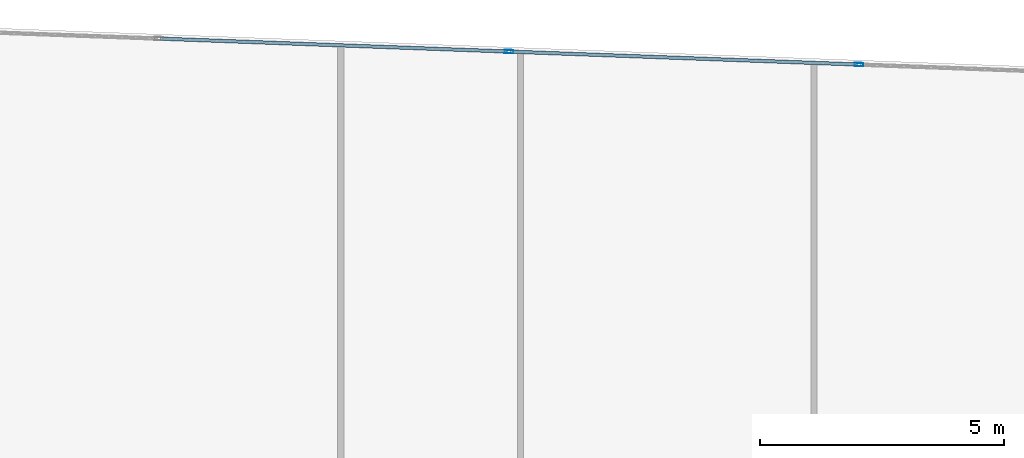
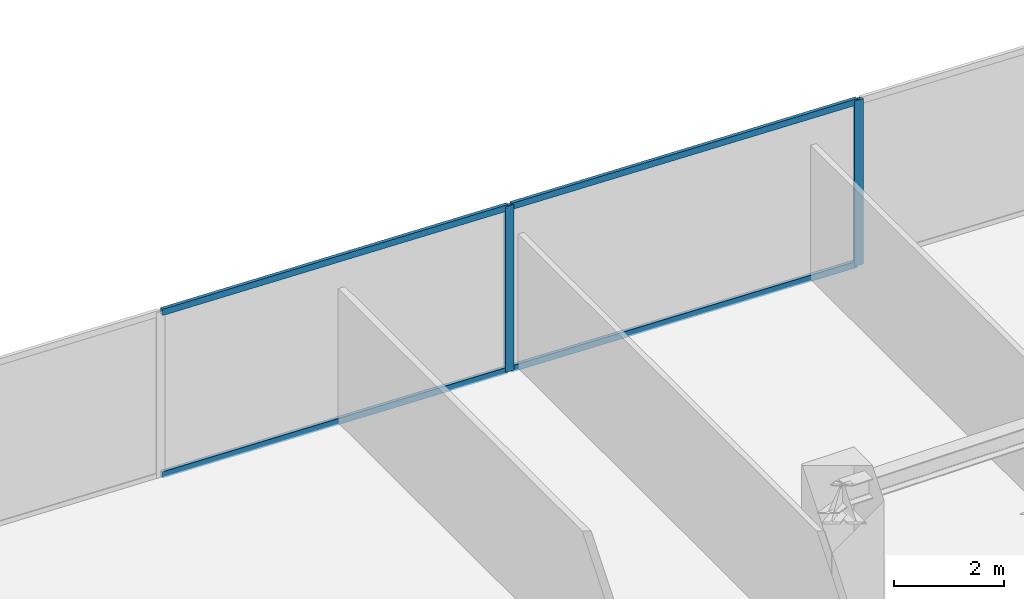
# One storey, part 22 of 30: 6 members, 1 element without a shape of its own.
"""IFC4 building model written with IfcOpenShell, lengths in metres."""

from ifc_helpers import new_model, si_unit, direction, frame, origin, origin_2d, place, context, subcontext, project, spatial, hollow_rectangle, extrude, source, transform, mapped, material, material_profile, profile_set, type_object, type_shapes, element, aggregate, save


model = new_model("IFC4")

# Units and contexts
model_context = context("Model", 3, precision=1e-05, world=origin(), true_north=direction((0.0, 1.0)))
body_context = subcontext(model_context, "Body", "Model", "MODEL_VIEW")
ifc_project = project(units=[si_unit("LENGTHUNIT", "METRE"), si_unit("AREAUNIT", "SQUARE_METRE"), si_unit("VOLUMEUNIT", "CUBIC_METRE"), si_unit("PLANEANGLEUNIT", "RADIAN"), si_unit("MASSUNIT", "GRAM", prefix="KILO")], contexts=[model_context])

# Site, building, storey
site_placement = place(None, origin())
site = spatial("IfcSite", under=ifc_project, at=site_placement, CompositionType="ELEMENT")
building_placement = place(site_placement, origin())
building = spatial("IfcBuilding", under=site, at=building_placement, Name="Krantzveldt Concourse Tower", CompositionType="ELEMENT")
storey_placement = place(building_placement, frame((0.0, 0.0, 40.800048828125)))
storey = spatial("IfcBuildingStorey", under=building, at=storey_placement, Name="L09", CompositionType="ELEMENT", Elevation=40.800048828125)

# Curtain wall, members
ifc_material = material(Name="Anodised aluminium 6063-T6", Category="aluminium")
curtain_wall_type = type_object("IfcCurtainWallType", Name="CW2", PredefinedType="USERDEFINED", material=ifc_material)
curtain_wall_placement = place(storey_placement, origin())
curtain_wall = element("IfcCurtainWall", 1, at=curtain_wall_placement, inside=storey, type_object=curtain_wall_type, Name="CW-L09-F10", ObjectType="UNITISED CURTAIN WALL", PredefinedType="USERDEFINED")
ifc_material_profile_1 = material_profile(ifc_material, hollow_rectangle(XDim=0.070068359375, YDim=0.179931640625, WallThickness=0.0048828125, at=origin_2d()), Name="Anodised aluminium 6063-T6", Category="aluminium")
ifc_profile_set_1 = profile_set([ifc_material_profile_1], Name="Anodised aluminium 6063-T6 - ALU-MULL 180x70x5")
member_type_1 = type_object("IfcMemberType", Name="CW-MUL-180", PredefinedType="MULLION", material=ifc_profile_set_1)
shared_shape_1 = source(origin(), body_context, "Body", "SweptSolid", [
    extrude(hollow_rectangle(XDim=0.070068359375, YDim=0.179931640625, WallThickness=0.0048828125, at=origin_2d()), origin(), (0.0, 0.0, 1.0), 3.669921875),
])
type_shapes(member_type_1, [shared_shape_1])
member_1_placement = place(storey_placement, frame((36.923583984375, 51.5927734375, 0.0), z_axis=(0.0, 0.0, 1.0), x_axis=(-0.037079766834, -0.999312308986, 0.0)))
member_1 = element("IfcMember", 2, at=member_1_placement, type_object=member_type_1, Name="CW-Z12 mullion 4", PredefinedType="MULLION", context=body_context, shape_type="MappedRepresentation", body=[
    mapped(shared_shape_1, transform((0.0, 0.0, 0.0), x_axis=(1.0, 0.0, 0.0), y_axis=(0.0, 1.0, 0.0), z_axis=(0.0, 0.0, 1.0), scale=1.0)),
])
member_2_placement = place(storey_placement, frame((29.761962890625, 51.858642578125, 0.0), z_axis=(0.0, 0.0, 1.0), x_axis=(-0.037079766834, -0.999312308986, 0.0)))
member_2 = element("IfcMember", 3, at=member_2_placement, type_object=member_type_1, Name="CW-Z12 mullion 5", PredefinedType="MULLION", context=body_context, shape_type="MappedRepresentation", body=[
    mapped(shared_shape_1, transform((0.0, 0.0, 0.0), x_axis=(1.0, 0.0, 0.0), y_axis=(0.0, 1.0, 0.0), z_axis=(0.0, 0.0, 1.0), scale=1.0)),
])
ifc_material_profile_2 = material_profile(ifc_material, hollow_rectangle(XDim=0.070068359375, YDim=0.139892578125, WallThickness=0.0048828125, at=origin_2d()), Name="Anodised aluminium 6063-T6", Category="aluminium")
ifc_profile_set_2 = profile_set([ifc_material_profile_2], Name="Anodised aluminium 6063-T6 - ALU-TRAN 140x70x5")
member_type_2 = type_object("IfcMemberType", Name="CW-TRN-150", PredefinedType="USERDEFINED", material=ifc_profile_set_2)
shared_shape_2 = source(origin(), body_context, "Body", "SweptSolid", [
    extrude(hollow_rectangle(XDim=0.070068359375, YDim=0.139892578125, WallThickness=0.0048828125, at=origin_2d()), origin(), (0.0, 0.0, 1.0), 7.0966796875),
])
type_shapes(member_type_2, [shared_shape_2])
member_3_placement = place(storey_placement, frame((36.888671875, 51.59423828125, 0.034912109375), z_axis=(-0.999312097724, 0.037085459975, 0.0), x_axis=(-0.037085459975, -0.999312097724, 0.0)))
member_3 = element("IfcMember", 4, at=member_3_placement, type_object=member_type_2, Name="CW-Z12 transom 4.1", ObjectType="TRANSOM", PredefinedType="USERDEFINED", context=body_context, shape_type="MappedRepresentation", body=[
    mapped(shared_shape_2, transform((0.0, 0.0, 0.0), x_axis=(1.0, 0.0, 0.0), y_axis=(0.0, 1.0, 0.0), z_axis=(0.0, 0.0, 1.0), scale=1.0)),
])
member_4_placement = place(storey_placement, frame((36.888671875, 51.59423828125, 3.635009765625), z_axis=(-0.999312097724, 0.037085459975, 0.0), x_axis=(-0.037085459975, -0.999312097724, 0.0)))
member_4 = element("IfcMember", 5, at=member_4_placement, type_object=member_type_2, Name="CW-Z12 transom 4.2", ObjectType="TRANSOM", PredefinedType="USERDEFINED", context=body_context, shape_type="MappedRepresentation", body=[
    mapped(shared_shape_2, transform((0.0, 0.0, 0.0), x_axis=(1.0, 0.0, 0.0), y_axis=(0.0, 1.0, 0.0), z_axis=(0.0, 0.0, 1.0), scale=1.0)),
])
member_5_placement = place(storey_placement, frame((29.72705078125, 51.85986328125, 0.034912109375), z_axis=(-0.999312097724, 0.037085459975, 0.0), x_axis=(-0.037085459975, -0.999312097724, 0.0)))
member_5 = element("IfcMember", 6, at=member_5_placement, type_object=member_type_2, Name="CW-Z12 transom 5.1", ObjectType="TRANSOM", PredefinedType="USERDEFINED", context=body_context, shape_type="MappedRepresentation", body=[
    mapped(shared_shape_2, transform((0.0, 0.0, 0.0), x_axis=(1.0, 0.0, 0.0), y_axis=(0.0, 1.0, 0.0), z_axis=(0.0, 0.0, 1.0), scale=1.0)),
])
member_6_placement = place(storey_placement, frame((29.72705078125, 51.85986328125, 3.635009765625), z_axis=(-0.999312097724, 0.037085459975, 0.0), x_axis=(-0.037085459975, -0.999312097724, 0.0)))
member_6 = element("IfcMember", 7, at=member_6_placement, type_object=member_type_2, Name="CW-Z12 transom 5.2", ObjectType="TRANSOM", PredefinedType="USERDEFINED", context=body_context, shape_type="MappedRepresentation", body=[
    mapped(shared_shape_2, transform((0.0, 0.0, 0.0), x_axis=(1.0, 0.0, 0.0), y_axis=(0.0, 1.0, 0.0), z_axis=(0.0, 0.0, 1.0), scale=1.0)),
])
aggregate(curtain_wall, [member_1, member_2, member_3, member_4, member_5, member_6])

save(model, "model.ifc")
